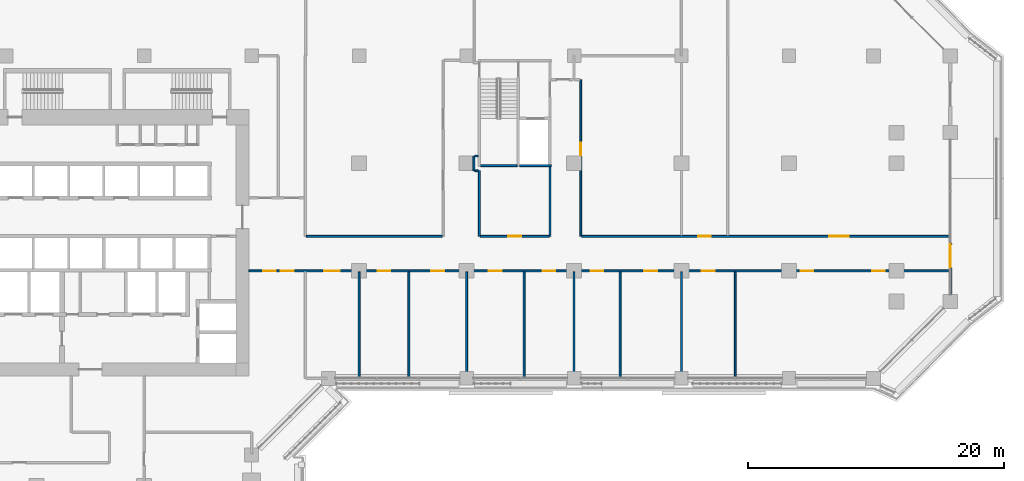
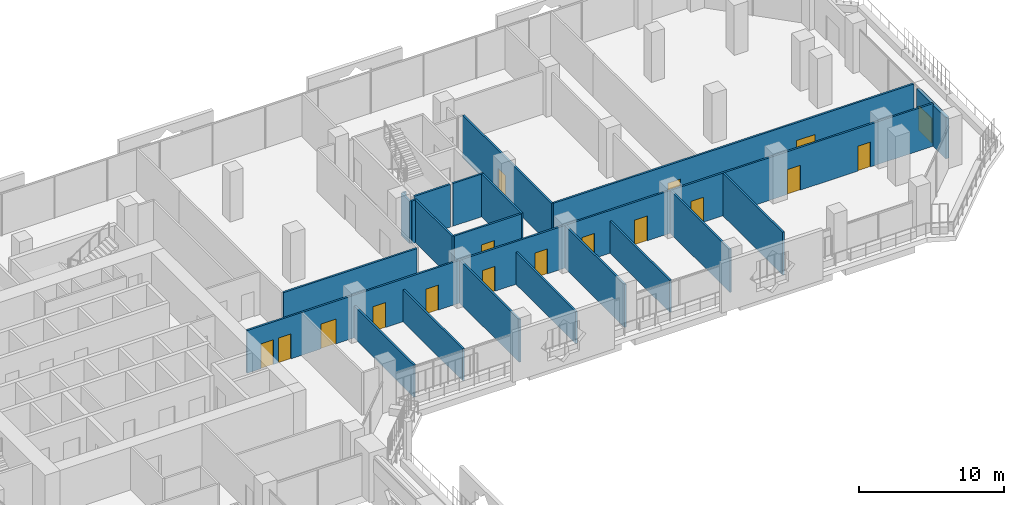
# One storey, part 17 of 29: 21 walls, 17 doors, 17 openings.
"""IFC4 building model written with IfcOpenShell, lengths in metres."""

from ifc_helpers import new_model, si_unit, direction, frame, frame_2d, origin, place, context, subcontext, project, spatial, rectangle, extrude, material, layer, layer_set, type_object, element, fill, save


model = new_model("IFC4")

# Units and contexts
model_context = context("Model", 3, precision=1e-05, world=origin(), true_north=direction((0.0, 1.0)))
body_context = subcontext(model_context, "Body", "Model", "MODEL_VIEW")
ifc_project = project(units=[si_unit("LENGTHUNIT", "METRE"), si_unit("AREAUNIT", "SQUARE_METRE"), si_unit("VOLUMEUNIT", "CUBIC_METRE"), si_unit("PLANEANGLEUNIT", "RADIAN"), si_unit("MASSUNIT", "GRAM", prefix="KILO")], contexts=[model_context])

# Site, building, storey
site_placement = place(None, origin())
site = spatial("IfcSite", under=ifc_project, at=site_placement, CompositionType="ELEMENT")
building_placement = place(site_placement, origin())
building = spatial("IfcBuilding", under=site, at=building_placement, Name="Kawkab Arch Medical Tower", CompositionType="ELEMENT")
storey_placement = place(building_placement, frame((0.0, 0.0, 107.199951171875)))
storey = spatial("IfcBuildingStorey", under=building, at=storey_placement, Name="L24", CompositionType="ELEMENT", Elevation=107.199951171875)

# Wall, opening, door
ifc_material_1 = material(Name="Bronze clad insulated wall panel")
ifc_layer_1 = layer(ifc_material_1, 0.25)
ifc_layer_set_1 = layer_set([ifc_layer_1], Name="Bronze clad insulated wall panel")
wall_type_1 = type_object("IfcWallType", Name="External wall bay 250", PredefinedType="SOLIDWALL", material=ifc_layer_set_1)
wall_1_placement = place(storey_placement, frame((79.800048828125, -18.64990234375, 0.0), z_axis=(0.0, 0.0, 1.0), x_axis=(0.0, 1.0, 0.0)))
wall_1 = element("IfcWall", 1, at=wall_1_placement, inside=storey, type_object=wall_type_1, Name="External wall bay L24.R09.1.1", PredefinedType="SOLIDWALL", context=body_context, shape_type="SweptSolid", body=[
    extrude(rectangle(XDim=4.033203125, YDim=0.25, at=frame_2d((2.0166015625, 0.0))), origin(), (0.0, 0.0, 1.0), 3.47998046875),
])
opening_1_placement = place(wall_1_placement, frame((2.11669921875, 0.0, 0.0)))
opening_1 = element("IfcOpeningElement", 2, at=opening_1_placement, cuts=wall_1, Name="Opening B24-701", PredefinedType="OPENING", context=body_context, shape_type="SweptSolid", body=[
    extrude(rectangle(XDim=1.800048828125, YDim=2.10009765625, at=frame_2d((0.89990234375, 1.050048828125))), frame((0.0, 0.135009765625, 0.0), z_axis=(0.0, -1.0, 0.0), x_axis=(1.0, 0.0, 0.0)), (0.0, 0.0, 1.0), 0.27001953125),
])
ifc_material_2 = material(Name="Bronze anodised aluminium door with tinted glass", Category="aluminium")
door_type_1 = type_object("IfcDoorType", Name="Double external door 1800 x 2100", OperationType="DOUBLE_DOOR_SINGLE_SWING", PredefinedType="DOOR", material=ifc_material_2)
door_1_placement = place(opening_1_placement, origin())
door_1 = element("IfcDoor", 3, at=door_1_placement, inside=storey, type_object=door_type_1, Name="External door L24.R09.1.1", OperationType="DOUBLE_DOOR_SINGLE_SWING", OverallHeight=2.10009765625, OverallWidth=1.800048828125, PredefinedType="DOOR", context=body_context, shape_type="SweptSolid", body=[
    extrude(rectangle(XDim=1.800048828125, YDim=2.10009765625, at=frame_2d((0.89990234375, 1.050048828125))), frame((0.0, 0.02490234375, 0.0), z_axis=(0.0, -1.0, 0.0), x_axis=(1.0, 0.0, 0.0)), (0.0, 0.0, 1.0), 0.050048828125),
])
fill(opening_1, door_1)

# Wall, openings, doors
ifc_material_3 = material(Name="Gypsum board partition on steel studs, mineral wool", Category="steel")
ifc_layer_2 = layer(ifc_material_3, 0.14990234375)
ifc_layer_set_2 = layer_set([ifc_layer_2], Name="Gypsum board partition on steel studs, mineral wool")
wall_type_2 = type_object("IfcWallType", Name="Partition 150", PredefinedType="PARTITIONING", material=ifc_layer_set_2)
wall_2_placement = place(storey_placement, frame((25.0, -16.800048828125, 0.0), z_axis=(0.0, 0.0, 1.0), x_axis=(1.0, 0.0, 0.0)))
wall_2 = element("IfcWall", 4, at=wall_2_placement, inside=storey, type_object=wall_type_2, Name="Partition 150 w010", PredefinedType="PARTITIONING", context=body_context, shape_type="SweptSolid", body=[
    extrude(rectangle(XDim=54.719970703125, YDim=0.14990234375, at=frame_2d((27.35986328125, 0.0))), origin(), (0.0, 0.0, 1.0), 3.60009765625),
])
opening_2_placement = place(wall_2_placement, frame((2.5, 0.0, 0.0)))
opening_2 = element("IfcOpeningElement", 5, at=opening_2_placement, cuts=wall_2, Name="Opening B24-007", PredefinedType="OPENING", context=body_context, shape_type="SweptSolid", body=[
    extrude(rectangle(XDim=1.0, YDim=2.10009765625, at=frame_2d((0.5, 1.050048828125))), frame((0.0, 0.0849609375, 0.0), z_axis=(0.0, -1.0, 0.0), x_axis=(1.0, 0.0, 0.0)), (0.0, 0.0, 1.0), 0.169921875),
])
opening_3_placement = place(wall_2_placement, frame((1.10009765625, 0.0, 0.0)))
opening_3 = element("IfcOpeningElement", 6, at=opening_3_placement, cuts=wall_2, Name="Opening B24-008", PredefinedType="OPENING", context=body_context, shape_type="SweptSolid", body=[
    extrude(rectangle(XDim=1.0, YDim=2.10009765625, at=frame_2d((0.5, 1.050048828125))), frame((0.0, 0.0849609375, 0.0), z_axis=(0.0, -1.0, 0.0), x_axis=(1.0, 0.0, 0.0)), (0.0, 0.0, 1.0), 0.169921875),
])
opening_4_placement = place(wall_2_placement, frame((5.89990234375, 0.0, 0.0)))
opening_4 = element("IfcOpeningElement", 7, at=opening_4_placement, cuts=wall_2, Name="Opening B24-028", PredefinedType="OPENING", context=body_context, shape_type="SweptSolid", body=[
    extrude(rectangle(XDim=1.199951171875, YDim=2.10009765625, at=frame_2d((0.60009765625, 1.050048828125))), frame((0.0, 0.0849609375, 0.0), z_axis=(0.0, -1.0, 0.0), x_axis=(1.0, 0.0, 0.0)), (0.0, 0.0, 1.0), 0.169921875),
])
opening_5_placement = place(wall_2_placement, frame((10.050048828125, 0.0, 0.0)))
opening_5 = element("IfcOpeningElement", 8, at=opening_5_placement, cuts=wall_2, Name="Opening B24-012", PredefinedType="OPENING", context=body_context, shape_type="SweptSolid", body=[
    extrude(rectangle(XDim=1.0, YDim=2.10009765625, at=frame_2d((0.5, 1.050048828125))), frame((0.0, 0.0849609375, 0.0), z_axis=(0.0, -1.0, 0.0), x_axis=(1.0, 0.0, 0.0)), (0.0, 0.0, 1.0), 0.169921875),
])
opening_6_placement = place(wall_2_placement, frame((14.25, 0.0, 0.0)))
opening_6 = element("IfcOpeningElement", 9, at=opening_6_placement, cuts=wall_2, Name="Opening B24-013", PredefinedType="OPENING", context=body_context, shape_type="SweptSolid", body=[
    extrude(rectangle(XDim=1.0, YDim=2.10009765625, at=frame_2d((0.5, 1.050048828125))), frame((0.0, 0.0849609375, 0.0), z_axis=(0.0, -1.0, 0.0), x_axis=(1.0, 0.0, 0.0)), (0.0, 0.0, 1.0), 0.169921875),
])
opening_7_placement = place(wall_2_placement, frame((18.75, 0.0, 0.0)))
opening_7 = element("IfcOpeningElement", 10, at=opening_7_placement, cuts=wall_2, Name="Opening B24-014", PredefinedType="OPENING", context=body_context, shape_type="SweptSolid", body=[
    extrude(rectangle(XDim=1.0, YDim=2.10009765625, at=frame_2d((0.5, 1.050048828125))), frame((0.0, 0.0849609375, 0.0), z_axis=(0.0, -1.0, 0.0), x_axis=(1.0, 0.0, 0.0)), (0.0, 0.0, 1.0), 0.169921875),
])
opening_8_placement = place(wall_2_placement, frame((22.949951171875, 0.0, 0.0)))
opening_8 = element("IfcOpeningElement", 11, at=opening_8_placement, cuts=wall_2, Name="Opening B24-015", PredefinedType="OPENING", context=body_context, shape_type="SweptSolid", body=[
    extrude(rectangle(XDim=1.0, YDim=2.10009765625, at=frame_2d((0.5, 1.050048828125))), frame((0.0, 0.0849609375, 0.0), z_axis=(0.0, -1.0, 0.0), x_axis=(1.0, 0.0, 0.0)), (0.0, 0.0, 1.0), 0.169921875),
])
opening_9_placement = place(wall_2_placement, frame((26.699951171875, 0.0, 0.0)))
opening_9 = element("IfcOpeningElement", 12, at=opening_9_placement, cuts=wall_2, Name="Opening B24-016", PredefinedType="OPENING", context=body_context, shape_type="SweptSolid", body=[
    extrude(rectangle(XDim=1.0, YDim=2.10009765625, at=frame_2d((0.5, 1.050048828125))), frame((0.0, 0.0849609375, 0.0), z_axis=(0.0, -1.0, 0.0), x_axis=(1.0, 0.0, 0.0)), (0.0, 0.0, 1.0), 0.169921875),
])
opening_10_placement = place(wall_2_placement, frame((30.89990234375, 0.0, 0.0)))
opening_10 = element("IfcOpeningElement", 13, at=opening_10_placement, cuts=wall_2, Name="Opening B24-017", PredefinedType="OPENING", context=body_context, shape_type="SweptSolid", body=[
    extrude(rectangle(XDim=1.0, YDim=2.10009765625, at=frame_2d((0.5, 1.050048828125))), frame((0.0, 0.0849609375, 0.0), z_axis=(0.0, -1.0, 0.0), x_axis=(1.0, 0.0, 0.0)), (0.0, 0.0, 1.0), 0.169921875),
])
opening_11_placement = place(wall_2_placement, frame((35.39990234375, 0.0, 0.0)))
opening_11 = element("IfcOpeningElement", 14, at=opening_11_placement, cuts=wall_2, Name="Opening B24-018", PredefinedType="OPENING", context=body_context, shape_type="SweptSolid", body=[
    extrude(rectangle(XDim=1.0, YDim=2.10009765625, at=frame_2d((0.5, 1.050048828125))), frame((0.0, 0.0849609375, 0.0), z_axis=(0.0, -1.0, 0.0), x_axis=(1.0, 0.0, 0.0)), (0.0, 0.0, 1.0), 0.169921875),
])
opening_12_placement = place(wall_2_placement, frame((48.699951171875, 0.0, 0.0)))
opening_12 = element("IfcOpeningElement", 15, at=opening_12_placement, cuts=wall_2, Name="Opening B24-019", PredefinedType="OPENING", context=body_context, shape_type="SweptSolid", body=[
    extrude(rectangle(XDim=1.0, YDim=2.10009765625, at=frame_2d((0.5, 1.050048828125))), frame((0.0, 0.0849609375, 0.0), z_axis=(0.0, -1.0, 0.0), x_axis=(1.0, 0.0, 0.0)), (0.0, 0.0, 1.0), 0.169921875),
])
opening_13_placement = place(wall_2_placement, frame((43.10009765625, 0.0, 0.0)))
opening_13 = element("IfcOpeningElement", 16, at=opening_13_placement, cuts=wall_2, Name="Opening B24-020", PredefinedType="OPENING", context=body_context, shape_type="SweptSolid", body=[
    extrude(rectangle(XDim=1.0, YDim=2.10009765625, at=frame_2d((0.5, 1.050048828125))), frame((0.0, 0.0849609375, 0.0), z_axis=(0.0, -1.0, 0.0), x_axis=(1.0, 0.0, 0.0)), (0.0, 0.0, 1.0), 0.169921875),
])
ifc_material_4 = material(Name="Hollow metal door leaf")
door_type_2 = type_object("IfcDoorType", Name="Single door 1000x2100 FD30S", OperationType="NOTDEFINED", PredefinedType="DOOR", material=ifc_material_4)
door_2_placement = place(opening_2_placement, origin())
door_2 = element("IfcDoor", 17, at=door_2_placement, inside=storey, type_object=door_type_2, Name="Door B24-007", OperationType="SINGLE_SWING_RIGHT", OverallHeight=2.10009765625, OverallWidth=1.0, PredefinedType="DOOR", context=body_context, shape_type="SweptSolid", body=[
    extrude(rectangle(XDim=1.0, YDim=2.10009765625, at=frame_2d((0.5, 1.050048828125))), frame((0.0, 0.02490234375, 0.0), z_axis=(0.0, -1.0, 0.0), x_axis=(1.0, 0.0, 0.0)), (0.0, 0.0, 1.0), 0.050048828125),
])
fill(opening_2, door_2)
door_3_placement = place(opening_3_placement, origin())
door_3 = element("IfcDoor", 18, at=door_3_placement, inside=storey, type_object=door_type_2, Name="Door B24-008", OperationType="SINGLE_SWING_RIGHT", OverallHeight=2.10009765625, OverallWidth=1.0, PredefinedType="DOOR", context=body_context, shape_type="SweptSolid", body=[
    extrude(rectangle(XDim=1.0, YDim=2.10009765625, at=frame_2d((0.5, 1.050048828125))), frame((0.0, 0.02490234375, 0.0), z_axis=(0.0, -1.0, 0.0), x_axis=(1.0, 0.0, 0.0)), (0.0, 0.0, 1.0), 0.050048828125),
])
fill(opening_3, door_3)
door_4_placement = place(opening_5_placement, origin())
door_4 = element("IfcDoor", 19, at=door_4_placement, inside=storey, type_object=door_type_2, Name="Door B24-012", OperationType="SINGLE_SWING_RIGHT", OverallHeight=2.10009765625, OverallWidth=1.0, PredefinedType="DOOR", context=body_context, shape_type="SweptSolid", body=[
    extrude(rectangle(XDim=1.0, YDim=2.10009765625, at=frame_2d((0.5, 1.050048828125))), frame((0.0, 0.02490234375, 0.0), z_axis=(0.0, -1.0, 0.0), x_axis=(1.0, 0.0, 0.0)), (0.0, 0.0, 1.0), 0.050048828125),
])
fill(opening_5, door_4)
door_5_placement = place(opening_6_placement, origin())
door_5 = element("IfcDoor", 20, at=door_5_placement, inside=storey, type_object=door_type_2, Name="Door B24-013", OperationType="SINGLE_SWING_RIGHT", OverallHeight=2.10009765625, OverallWidth=1.0, PredefinedType="DOOR", context=body_context, shape_type="SweptSolid", body=[
    extrude(rectangle(XDim=1.0, YDim=2.10009765625, at=frame_2d((0.5, 1.050048828125))), frame((0.0, 0.02490234375, 0.0), z_axis=(0.0, -1.0, 0.0), x_axis=(1.0, 0.0, 0.0)), (0.0, 0.0, 1.0), 0.050048828125),
])
fill(opening_6, door_5)
door_6_placement = place(opening_7_placement, origin())
door_6 = element("IfcDoor", 21, at=door_6_placement, inside=storey, type_object=door_type_2, Name="Door B24-014", OperationType="SINGLE_SWING_RIGHT", OverallHeight=2.10009765625, OverallWidth=1.0, PredefinedType="DOOR", context=body_context, shape_type="SweptSolid", body=[
    extrude(rectangle(XDim=1.0, YDim=2.10009765625, at=frame_2d((0.5, 1.050048828125))), frame((0.0, 0.02490234375, 0.0), z_axis=(0.0, -1.0, 0.0), x_axis=(1.0, 0.0, 0.0)), (0.0, 0.0, 1.0), 0.050048828125),
])
fill(opening_7, door_6)
door_7_placement = place(opening_8_placement, origin())
door_7 = element("IfcDoor", 22, at=door_7_placement, inside=storey, type_object=door_type_2, Name="Door B24-015", OperationType="SINGLE_SWING_RIGHT", OverallHeight=2.10009765625, OverallWidth=1.0, PredefinedType="DOOR", context=body_context, shape_type="SweptSolid", body=[
    extrude(rectangle(XDim=1.0, YDim=2.10009765625, at=frame_2d((0.5, 1.050048828125))), frame((0.0, 0.02490234375, 0.0), z_axis=(0.0, -1.0, 0.0), x_axis=(1.0, 0.0, 0.0)), (0.0, 0.0, 1.0), 0.050048828125),
])
fill(opening_8, door_7)
door_8_placement = place(opening_9_placement, origin())
door_8 = element("IfcDoor", 23, at=door_8_placement, inside=storey, type_object=door_type_2, Name="Door B24-016", OperationType="SINGLE_SWING_RIGHT", OverallHeight=2.10009765625, OverallWidth=1.0, PredefinedType="DOOR", context=body_context, shape_type="SweptSolid", body=[
    extrude(rectangle(XDim=1.0, YDim=2.10009765625, at=frame_2d((0.5, 1.050048828125))), frame((0.0, 0.02490234375, 0.0), z_axis=(0.0, -1.0, 0.0), x_axis=(1.0, 0.0, 0.0)), (0.0, 0.0, 1.0), 0.050048828125),
])
fill(opening_9, door_8)
door_9_placement = place(opening_10_placement, origin())
door_9 = element("IfcDoor", 24, at=door_9_placement, inside=storey, type_object=door_type_2, Name="Door B24-017", OperationType="SINGLE_SWING_LEFT", OverallHeight=2.10009765625, OverallWidth=1.0, PredefinedType="DOOR", context=body_context, shape_type="SweptSolid", body=[
    extrude(rectangle(XDim=1.0, YDim=2.10009765625, at=frame_2d((0.5, 1.050048828125))), frame((0.0, 0.02490234375, 0.0), z_axis=(0.0, -1.0, 0.0), x_axis=(1.0, 0.0, 0.0)), (0.0, 0.0, 1.0), 0.050048828125),
])
fill(opening_10, door_9)
door_10_placement = place(opening_11_placement, origin())
door_10 = element("IfcDoor", 25, at=door_10_placement, inside=storey, type_object=door_type_2, Name="Door B24-018", OperationType="SINGLE_SWING_LEFT", OverallHeight=2.10009765625, OverallWidth=1.0, PredefinedType="DOOR", context=body_context, shape_type="SweptSolid", body=[
    extrude(rectangle(XDim=1.0, YDim=2.10009765625, at=frame_2d((0.5, 1.050048828125))), frame((0.0, 0.02490234375, 0.0), z_axis=(0.0, -1.0, 0.0), x_axis=(1.0, 0.0, 0.0)), (0.0, 0.0, 1.0), 0.050048828125),
])
fill(opening_11, door_10)
door_11_placement = place(opening_12_placement, origin())
door_11 = element("IfcDoor", 26, at=door_11_placement, inside=storey, type_object=door_type_2, Name="Door B24-019", OperationType="SINGLE_SWING_LEFT", OverallHeight=2.10009765625, OverallWidth=1.0, PredefinedType="DOOR", context=body_context, shape_type="SweptSolid", body=[
    extrude(rectangle(XDim=1.0, YDim=2.10009765625, at=frame_2d((0.5, 1.050048828125))), frame((0.0, 0.02490234375, 0.0), z_axis=(0.0, -1.0, 0.0), x_axis=(1.0, 0.0, 0.0)), (0.0, 0.0, 1.0), 0.050048828125),
])
fill(opening_12, door_11)
door_12_placement = place(opening_13_placement, origin())
door_12 = element("IfcDoor", 27, at=door_12_placement, inside=storey, type_object=door_type_2, Name="Door B24-020", OperationType="SINGLE_SWING_LEFT", OverallHeight=2.10009765625, OverallWidth=1.0, PredefinedType="DOOR", context=body_context, shape_type="SweptSolid", body=[
    extrude(rectangle(XDim=1.0, YDim=2.10009765625, at=frame_2d((0.5, 1.050048828125))), frame((0.0, 0.02490234375, 0.0), z_axis=(0.0, -1.0, 0.0), x_axis=(1.0, 0.0, 0.0)), (0.0, 0.0, 1.0), 0.050048828125),
])
fill(opening_13, door_12)
ifc_material_5 = material(Name="Hollow metal door leaf")
door_type_3 = type_object("IfcDoorType", Name="Single door 1200x2100 FD30S", OperationType="NOTDEFINED", PredefinedType="DOOR", material=ifc_material_5)
door_13_placement = place(opening_4_placement, origin())
door_13 = element("IfcDoor", 28, at=door_13_placement, inside=storey, type_object=door_type_3, Name="Door B24-028", OperationType="SINGLE_SWING_RIGHT", OverallHeight=2.10009765625, OverallWidth=1.199951171875, PredefinedType="DOOR", context=body_context, shape_type="SweptSolid", body=[
    extrude(rectangle(XDim=1.199951171875, YDim=2.10009765625, at=frame_2d((0.60009765625, 1.050048828125))), frame((0.0, 0.02490234375, 0.0), z_axis=(0.0, -1.0, 0.0), x_axis=(1.0, 0.0, 0.0)), (0.0, 0.0, 1.0), 0.050048828125),
])
fill(opening_4, door_13)

# Wall
wall_3_placement = place(storey_placement, frame((29.47509765625, -14.10009765625, 0.0), z_axis=(0.0, 0.0, 1.0), x_axis=(1.0, 0.0, 0.0)))
element("IfcWall", 29, at=wall_3_placement, inside=storey, type_object=wall_type_2, Name="Partition 150 w011", PredefinedType="PARTITIONING", context=body_context, shape_type="SweptSolid", body=[
    extrude(rectangle(XDim=10.6318359375, YDim=0.14990234375, at=frame_2d((5.31591796875, 0.0))), origin(), (0.0, 0.0, 1.0), 3.60009765625),
])

# Wall, opening, door
wall_4_placement = place(storey_placement, frame((43.074951171875, -14.10009765625, 0.0), z_axis=(0.0, 0.0, 1.0), x_axis=(1.0, 0.0, 0.0)))
wall_4 = element("IfcWall", 30, at=wall_4_placement, inside=storey, type_object=wall_type_2, Name="Partition 150 w012", PredefinedType="PARTITIONING", context=body_context, shape_type="SweptSolid", body=[
    extrude(rectangle(XDim=5.375, YDim=0.14990234375, at=frame_2d((2.6875, 0.0))), origin(), (0.0, 0.0, 1.0), 3.60009765625),
])
opening_14_placement = place(wall_4_placement, frame((2.18798828125, 0.0, 0.0)))
opening_14 = element("IfcOpeningElement", 31, at=opening_14_placement, cuts=wall_4, Name="Opening B24-009", PredefinedType="OPENING", context=body_context, shape_type="SweptSolid", body=[
    extrude(rectangle(XDim=1.0, YDim=2.10009765625, at=frame_2d((0.5, 1.050048828125))), frame((0.0, 0.0849609375, 0.0), z_axis=(0.0, -1.0, 0.0), x_axis=(1.0, 0.0, 0.0)), (0.0, 0.0, 1.0), 0.169921875),
])
door_14_placement = place(opening_14_placement, origin())
door_14 = element("IfcDoor", 32, at=door_14_placement, inside=storey, type_object=door_type_2, Name="Door B24-009", OperationType="SINGLE_SWING_RIGHT", OverallHeight=2.10009765625, OverallWidth=1.0, PredefinedType="DOOR", context=body_context, shape_type="SweptSolid", body=[
    extrude(rectangle(XDim=1.0, YDim=2.10009765625, at=frame_2d((0.5, 1.050048828125))), frame((0.0, 0.02490234375, 0.0), z_axis=(0.0, -1.0, 0.0), x_axis=(1.0, 0.0, 0.0)), (0.0, 0.0, 1.0), 0.050048828125),
])
fill(opening_14, door_14)

# Wall, openings, doors
wall_5_placement = place(storey_placement, frame((51.0, -14.10009765625, 0.0), z_axis=(0.0, 0.0, 1.0), x_axis=(1.0, 0.0, 0.0)))
wall_5 = element("IfcWall", 33, at=wall_5_placement, inside=storey, type_object=wall_type_2, Name="Partition 150 w013", PredefinedType="PARTITIONING", context=body_context, shape_type="SweptSolid", body=[
    extrude(rectangle(XDim=28.719970703125, YDim=0.14990234375, at=frame_2d((14.35986328125, 0.0))), origin(), (0.0, 0.0, 1.0), 3.60009765625),
])
opening_15_placement = place(wall_5_placement, frame((9.10009765625, 0.0, 0.0)))
opening_15 = element("IfcOpeningElement", 34, at=opening_15_placement, cuts=wall_5, Name="Opening B24-011", PredefinedType="OPENING", context=body_context, shape_type="SweptSolid", body=[
    extrude(rectangle(XDim=1.0, YDim=2.10009765625, at=frame_2d((0.5, 1.050048828125))), frame((0.0, 0.0849609375, 0.0), z_axis=(0.0, -1.0, 0.0), x_axis=(1.0, 0.0, 0.0)), (0.0, 0.0, 1.0), 0.169921875),
])
opening_16_placement = place(wall_5_placement, frame((19.35009765625, 0.0, 0.0)))
opening_16 = element("IfcOpeningElement", 35, at=opening_16_placement, cuts=wall_5, Name="Opening B24-001", PredefinedType="OPENING", context=body_context, shape_type="SweptSolid", body=[
    extrude(rectangle(XDim=1.5, YDim=2.10009765625, at=frame_2d((0.75, 1.050048828125))), frame((0.0, 0.0849609375, 0.0), z_axis=(0.0, -1.0, 0.0), x_axis=(1.0, 0.0, 0.0)), (0.0, 0.0, 1.0), 0.169921875),
])
ifc_material_6 = material(Name="Hollow metal door leaf")
door_type_4 = type_object("IfcDoorType", Name="Double door 1500x2100 FD30S", OperationType="NOTDEFINED", PredefinedType="DOOR", material=ifc_material_6)
door_15_placement = place(opening_16_placement, origin())
door_15 = element("IfcDoor", 36, at=door_15_placement, inside=storey, type_object=door_type_4, Name="Door B24-001", OperationType="DOUBLE_DOOR_SINGLE_SWING", OverallHeight=2.10009765625, OverallWidth=1.5, PredefinedType="DOOR", context=body_context, shape_type="SweptSolid", body=[
    extrude(rectangle(XDim=1.5, YDim=2.10009765625, at=frame_2d((0.75, 1.050048828125))), frame((0.0, 0.02490234375, 0.0), z_axis=(0.0, -1.0, 0.0), x_axis=(1.0, 0.0, 0.0)), (0.0, 0.0, 1.0), 0.050048828125),
])
fill(opening_16, door_15)
door_16_placement = place(opening_15_placement, origin())
door_16 = element("IfcDoor", 37, at=door_16_placement, inside=storey, type_object=door_type_2, Name="Door B24-011", OperationType="SINGLE_SWING_LEFT", OverallHeight=2.10009765625, OverallWidth=1.0, PredefinedType="DOOR", context=body_context, shape_type="SweptSolid", body=[
    extrude(rectangle(XDim=1.0, YDim=2.10009765625, at=frame_2d((0.5, 1.050048828125))), frame((0.0, 0.02490234375, 0.0), z_axis=(0.0, -1.0, 0.0), x_axis=(1.0, 0.0, 0.0)), (0.0, 0.0, 1.0), 0.050048828125),
])
fill(opening_15, door_16)

# Walls
wall_6_placement = place(storey_placement, frame((42.65087890625, -8.97509765625, 0.0), z_axis=(0.0, 0.0, 1.0), x_axis=(1.0, 0.0, 0.0)))
element("IfcWall", 38, at=wall_6_placement, inside=storey, type_object=wall_type_2, Name="Partition 150 w015", PredefinedType="PARTITIONING", context=body_context, shape_type="SweptSolid", body=[
    extrude(rectangle(XDim=0.274169921875, YDim=0.14990234375, at=frame_2d((0.13720703125, 0.0))), origin(), (0.0, 0.0, 1.0), 3.60009765625),
])
wall_7_placement = place(storey_placement, frame((42.65087890625, -7.824951171875, 0.0), z_axis=(0.0, 0.0, 1.0), x_axis=(1.0, 0.0, 0.0)))
element("IfcWall", 39, at=wall_7_placement, inside=storey, type_object=wall_type_2, Name="Partition 150 w016", PredefinedType="PARTITIONING", context=body_context, shape_type="SweptSolid", body=[
    extrude(rectangle(XDim=0.2490234375, YDim=0.14990234375, at=frame_2d((0.12451171875, 0.0))), origin(), (0.0, 0.0, 1.0), 3.60009765625),
])
for number, where, z_axis, x_axis, name in (
    (40, (33.60009765625, -25.1201171875, 0.0), (0.0, 0.0, 1.0), (0.0, 1.0, 0.0), "Partition 150 w036"),
    (41, (37.5, -25.1201171875, 0.0), (0.0, 0.0, 1.0), (0.0, 1.0, 0.0), "Partition 150 w037"),
):
    element("IfcWall", number, at=place(storey_placement, frame(where, z_axis=z_axis, x_axis=x_axis)), inside=storey, type_object=wall_type_2, Name=name, PredefinedType="PARTITIONING", context=body_context, shape_type="SweptSolid", body=[
        extrude(rectangle(XDim=8.2451171875, YDim=0.14990234375, at=frame_2d((4.12255859375, 0.0))), origin(), (0.0, 0.0, 1.0), 2.699951171875),
    ])
wall_8_placement = place(storey_placement, frame((42.0, -25.1201171875, 0.0), z_axis=(0.0, 0.0, 1.0), x_axis=(0.0, 1.0, 0.0)))
element("IfcWall", 42, at=wall_8_placement, inside=storey, type_object=wall_type_2, Name="Partition 150 w039", PredefinedType="PARTITIONING", context=body_context, shape_type="SweptSolid", body=[
    extrude(rectangle(XDim=8.2451171875, YDim=0.14990234375, at=frame_2d((4.12255859375, 0.0))), origin(), (0.0, 0.0, 1.0), 3.60009765625),
])
wall_9_placement = place(storey_placement, frame((42.574951171875, -8.97412109375, 0.0), z_axis=(0.0, 0.0, 1.0), x_axis=(0.0, 1.0, 0.0)))
element("IfcWall", 43, at=wall_9_placement, inside=storey, type_object=wall_type_2, Name="Partition 150 w040", PredefinedType="PARTITIONING", context=body_context, shape_type="SweptSolid", body=[
    extrude(rectangle(XDim=1.148193359375, YDim=0.14990234375, at=frame_2d((0.57421875, 0.0))), origin(), (0.0, 0.0, 1.0), 3.60009765625),
])
wall_10_placement = place(storey_placement, frame((43.0, -14.10009765625, 0.0), z_axis=(0.0, 0.0, 1.0), x_axis=(0.0, 1.0, 0.0)))
element("IfcWall", 44, at=wall_10_placement, inside=storey, type_object=wall_type_2, Name="Partition 150 w042", PredefinedType="PARTITIONING", context=body_context, shape_type="SweptSolid", body=[
    extrude(rectangle(XDim=5.125, YDim=0.14990234375, at=frame_2d((2.5625, 0.0))), origin(), (0.0, 0.0, 1.0), 3.60009765625),
])
wall_11_placement = place(storey_placement, frame((46.5, -25.1201171875, 0.0), z_axis=(0.0, 0.0, 1.0), x_axis=(0.0, 1.0, 0.0)))
element("IfcWall", 45, at=wall_11_placement, inside=storey, type_object=wall_type_2, Name="Partition 150 w043", PredefinedType="PARTITIONING", context=body_context, shape_type="SweptSolid", body=[
    extrude(rectangle(XDim=8.2451171875, YDim=0.14990234375, at=frame_2d((4.12255859375, 0.0))), origin(), (0.0, 0.0, 1.0), 2.699951171875),
])
wall_12_placement = place(storey_placement, frame((48.52490234375, -14.10009765625, 0.0), z_axis=(0.0, 0.0, 1.0), x_axis=(0.0, 1.0, 0.0)))
element("IfcWall", 46, at=wall_12_placement, inside=storey, type_object=wall_type_2, Name="Partition 150 w044", PredefinedType="PARTITIONING", context=body_context, shape_type="SweptSolid", body=[
    extrude(rectangle(XDim=5.4501953125, YDim=0.14990234375, at=frame_2d((2.72509765625, 0.0))), origin(), (0.0, 0.0, 1.0), 3.60009765625),
])
wall_13_placement = place(storey_placement, frame((50.39990234375, -25.1201171875, 0.0), z_axis=(0.0, 0.0, 1.0), x_axis=(0.0, 1.0, 0.0)))
element("IfcWall", 47, at=wall_13_placement, inside=storey, type_object=wall_type_2, Name="Partition 150 w045", PredefinedType="PARTITIONING", context=body_context, shape_type="SweptSolid", body=[
    extrude(rectangle(XDim=8.2451171875, YDim=0.14990234375, at=frame_2d((4.12255859375, 0.0))), origin(), (0.0, 0.0, 1.0), 3.60009765625),
])

# Wall, opening, door
wall_14_placement = place(storey_placement, frame((50.925048828125, -14.10009765625, 0.0), z_axis=(0.0, 0.0, 1.0), x_axis=(0.0, 1.0, 0.0)))
wall_14 = element("IfcWall", 48, at=wall_14_placement, inside=storey, type_object=wall_type_2, Name="Partition 150 w047", PredefinedType="PARTITIONING", context=body_context, shape_type="SweptSolid", body=[
    extrude(rectangle(XDim=12.25, YDim=0.14990234375, at=frame_2d((6.125, 0.0))), origin(), (0.0, 0.0, 1.0), 3.60009765625),
])
opening_17_placement = place(wall_14_placement, frame((6.324951171875, 0.0, 0.0)))
opening_17 = element("IfcOpeningElement", 49, at=opening_17_placement, cuts=wall_14, Name="Opening B24-010", PredefinedType="OPENING", context=body_context, shape_type="SweptSolid", body=[
    extrude(rectangle(XDim=1.0, YDim=2.10009765625, at=frame_2d((0.5, 1.050048828125))), frame((0.0, 0.0849609375, 0.0), z_axis=(0.0, -1.0, 0.0), x_axis=(1.0, 0.0, 0.0)), (0.0, 0.0, 1.0), 0.169921875),
])
door_17_placement = place(opening_17_placement, origin())
door_17 = element("IfcDoor", 50, at=door_17_placement, inside=storey, type_object=door_type_2, Name="Door B24-010", OperationType="SINGLE_SWING_LEFT", OverallHeight=2.10009765625, OverallWidth=1.0, PredefinedType="DOOR", context=body_context, shape_type="SweptSolid", body=[
    extrude(rectangle(XDim=1.0, YDim=2.10009765625, at=frame_2d((0.5, 1.050048828125))), frame((0.0, 0.02490234375, 0.0), z_axis=(0.0, -1.0, 0.0), x_axis=(1.0, 0.0, 0.0)), (0.0, 0.0, 1.0), 0.050048828125),
])
fill(opening_17, door_17)

# Walls
wall_15_placement = place(storey_placement, frame((54.0, -25.1201171875, 0.0), z_axis=(0.0, 0.0, 1.0), x_axis=(0.0, 1.0, 0.0)))
element("IfcWall", 51, at=wall_15_placement, inside=storey, type_object=wall_type_2, Name="Partition 150 w048", PredefinedType="PARTITIONING", context=body_context, shape_type="SweptSolid", body=[
    extrude(rectangle(XDim=8.2451171875, YDim=0.14990234375, at=frame_2d((4.12255859375, 0.0))), origin(), (0.0, 0.0, 1.0), 2.699951171875),
])
for number, where, z_axis, x_axis, name in (
    (52, (58.800048828125, -25.1201171875, 0.0), (0.0, 0.0, 1.0), (0.0, 1.0, 0.0), "Partition 150 w050"),
    (53, (63.0, -25.1201171875, 0.0), (0.0, 0.0, 1.0), (0.0, 1.0, 0.0), "Partition 150 w054"),
):
    element("IfcWall", number, at=place(storey_placement, frame(where, z_axis=z_axis, x_axis=x_axis)), inside=storey, type_object=wall_type_2, Name=name, PredefinedType="PARTITIONING", context=body_context, shape_type="SweptSolid", body=[
        extrude(rectangle(XDim=8.2451171875, YDim=0.14990234375, at=frame_2d((4.12255859375, 0.0))), origin(), (0.0, 0.0, 1.0), 3.60009765625),
    ])
ifc_material_7 = material(Name="Concrete C50/60", Category="concrete")
ifc_layer_3 = layer(ifc_material_7, 0.14990234375)
ifc_layer_set_3 = layer_set([ifc_layer_3], Name="Concrete C50/60")
wall_type_3 = type_object("IfcWallType", Name="Stair enclosure wall 150 C50/60", PredefinedType="SHEAR", material=ifc_layer_set_3)
wall_16_placement = place(storey_placement, frame((43.10009765625, -8.574951171875, 0.0), z_axis=(0.0, 0.0, 1.0), x_axis=(1.0, 0.0, 0.0)))
element("IfcWall", 54, at=wall_16_placement, inside=storey, type_object=wall_type_3, Name="L24 stair enclosure wall", PredefinedType="SHEAR", context=body_context, shape_type="SweptSolid", body=[
    extrude(rectangle(XDim=2.849853515625, YDim=0.14990234375, at=frame_2d((1.4248046875, 0.0))), origin(), (0.0, 0.0, 1.0), 3.60009765625),
])
wall_17_placement = place(storey_placement, frame((46.14990234375, -8.574951171875, 0.0), z_axis=(0.0, 0.0, 1.0), x_axis=(1.0, 0.0, 0.0)))
element("IfcWall", 55, at=wall_17_placement, inside=storey, type_object=wall_type_3, Name="L24 stair enclosure wall", PredefinedType="SHEAR", context=body_context, shape_type="SweptSolid", body=[
    extrude(rectangle(XDim=2.4501953125, YDim=0.14990234375, at=frame_2d((1.22509765625, 0.0))), origin(), (0.0, 0.0, 1.0), 3.60009765625),
])

save(model, "model.ifc")
